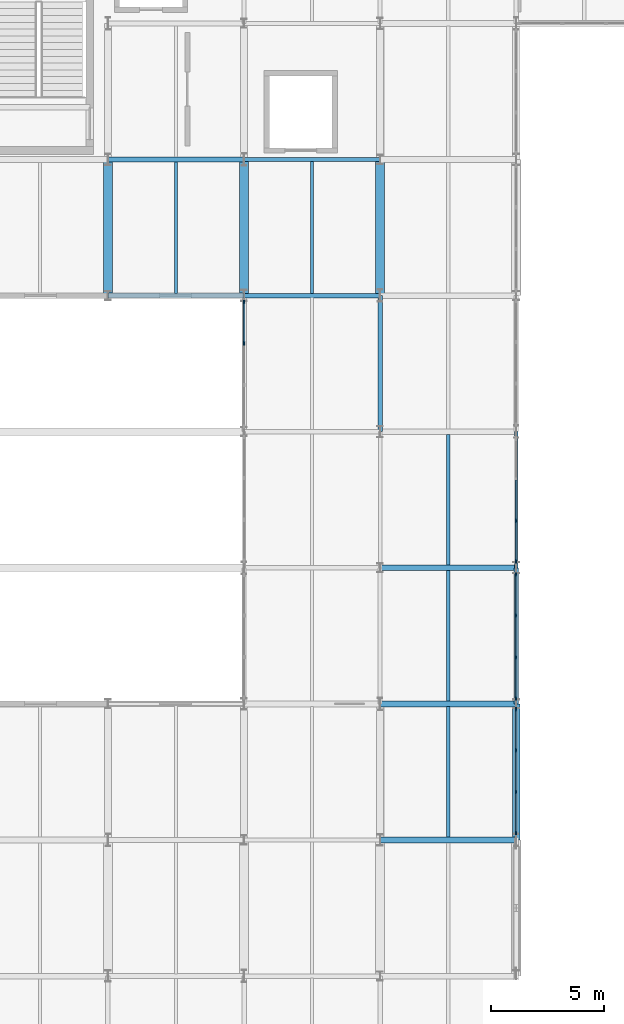
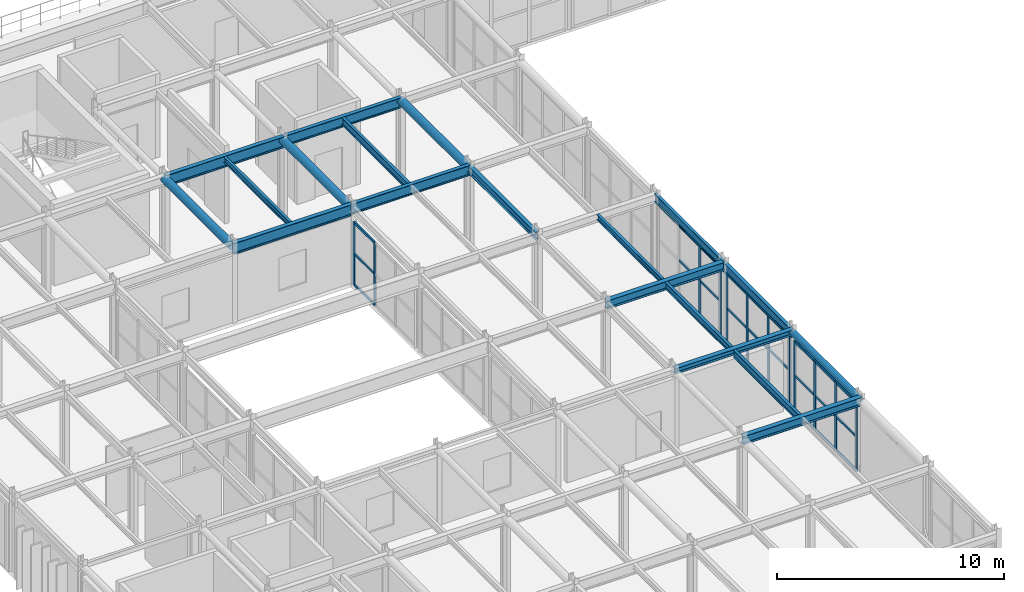
# One storey, part 27 of 84: 39 members, 19 beams, 4 elements without a shape of their own.
"""IFC4 building model written with IfcOpenShell, lengths in metres."""

from ifc_helpers import new_model, si_unit, direction, frame, origin, origin_2d, place, context, subcontext, project, spatial, rectangle, hollow_circle, i_section, extrude, material, material_profile, profile_set, type_object, element, aggregate, save


model = new_model("IFC4")

# Units and contexts
model_context = context("Model", 3, precision=1e-05, world=origin(), true_north=direction((0.0, 1.0)))
body_context = subcontext(model_context, "Body", "Model", "MODEL_VIEW")
ifc_project = project(units=[si_unit("LENGTHUNIT", "METRE"), si_unit("AREAUNIT", "SQUARE_METRE"), si_unit("VOLUMEUNIT", "CUBIC_METRE"), si_unit("PLANEANGLEUNIT", "RADIAN"), si_unit("MASSUNIT", "GRAM", prefix="KILO")], contexts=[model_context])

# Site, building, storey
site_placement = place(None, origin())
site = spatial("IfcSite", under=ifc_project, at=site_placement, CompositionType="ELEMENT")
building_placement = place(site_placement, origin())
building = spatial("IfcBuilding", under=site, at=building_placement, Name="Varnakota Square Police Headquarters", CompositionType="ELEMENT")
storey_placement = place(building_placement, frame((0.0, 0.0, 13.5)))
storey = spatial("IfcBuildingStorey", under=building, at=storey_placement, Name="L03", CompositionType="ELEMENT", Elevation=13.5)

# Beams
ifc_material_1 = material(Name="Steel IS 2062 Grade 350", Category="steel")
ifc_material_profile_1 = material_profile(ifc_material_1, hollow_circle(Radius=0.161865234375, WallThickness=0.0126953125, at=origin_2d()), Name="CHS 323.9x12.7")
ifc_profile_set_1 = profile_set([ifc_material_profile_1], Name="Steel IS 2062 Grade 350")
beam_type_1 = type_object("IfcBeamType", Name="BM-ARC-CHS324", PredefinedType="BEAM", material=ifc_profile_set_1)
beam_1_placement = place(storey_placement, frame((42.0, 33.0, 4.0380859375), z_axis=(0.0, 1.0, 0.0), x_axis=(-1.0, 0.0, 0.0)))
element("IfcBeam", 1, at=beam_1_placement, inside=storey, type_object=beam_type_1, Name="BMG-L03-2655", PredefinedType="BEAM", context=body_context, shape_type="SweptSolid", body=[
    extrude(hollow_circle(Radius=0.161865234375, WallThickness=0.0126953125, at=origin_2d()), origin(), (0.0, 0.0, 1.0), 6.0),
])
ifc_material_profile_2 = material_profile(ifc_material_1, hollow_circle(Radius=0.203125, WallThickness=0.01611328125, at=origin_2d()), Name="CHS 406.4x16.0")
ifc_profile_set_2 = profile_set([ifc_material_profile_2], Name="Steel IS 2062 Grade 350")
beam_type_2 = type_object("IfcBeamType", Name="BM-ARC-CHS406", PredefinedType="BEAM", material=ifc_profile_set_2)
for number, where, z_axis, x_axis, name in (
    (2, (24.0, 57.0, 3.996826171875), (0.0, 1.0, 0.0), (-1.0, 0.0, 0.0), "BMG-L03-2632"),
    (3, (30.0, 57.0, 3.996826171875), (0.0, 1.0, 0.0), (-1.0, 0.0, 0.0), "BMG-L03-2640"),
    (4, (36.0, 57.0, 3.996826171875), (0.0, 1.0, 0.0), (-1.0, 0.0, 0.0), "BMG-L03-2650"),
):
    element("IfcBeam", number, at=place(storey_placement, frame(where, z_axis=z_axis, x_axis=x_axis)), inside=storey, type_object=beam_type_2, Name=name, PredefinedType="BEAM", context=body_context, shape_type="SweptSolid", body=[
        extrude(hollow_circle(Radius=0.203125, WallThickness=0.01611328125, at=origin_2d()), origin(), (0.0, 0.0, 1.0), 6.0),
    ])
ifc_material_profile_3 = material_profile(ifc_material_1, i_section(OverallWidth=0.25, OverallDepth=0.300048828125, WebThickness=0.009521484375, FlangeThickness=0.010498046875, FilletRadius=0.011962890625, at=origin_2d()), Name="ISHB 300")
ifc_profile_set_3 = profile_set([ifc_material_profile_3], Name="Steel IS 2062 Grade 350")
beam_type_3 = type_object("IfcBeamType", Name="BM-ISHB300", PredefinedType="BEAM", material=ifc_profile_set_3)
beam_2_placement = place(storey_placement, frame((36.0, 39.0, 4.050048828125), z_axis=(1.0, 0.0, 0.0), x_axis=(0.0, 1.0, 0.0)))
element("IfcBeam", 5, at=beam_2_placement, inside=storey, type_object=beam_type_3, Name="BMG-L03-2478", PredefinedType="BEAM", context=body_context, shape_type="SweptSolid", body=[
    extrude(i_section(OverallWidth=0.25, OverallDepth=0.300048828125, WebThickness=0.009521484375, FlangeThickness=0.010498046875, FilletRadius=0.011962890625, at=origin_2d()), origin(), (0.0, 0.0, 1.0), 6.0),
])
ifc_material_profile_4 = material_profile(ifc_material_1, i_section(OverallWidth=0.25, OverallDepth=0.449951171875, WebThickness=0.01123046875, FlangeThickness=0.013671875, FilletRadius=0.014892578125, at=origin_2d()), Name="ISHB 450")
ifc_profile_set_4 = profile_set([ifc_material_profile_4], Name="Steel IS 2062 Grade 350")
beam_type_4 = type_object("IfcBeamType", Name="BM-ISHB450", PredefinedType="BEAM", material=ifc_profile_set_4)
for number, where, z_axis, x_axis, name in (
    (6, (36.0, 33.0, 3.97509765625), (1.0, 0.0, 0.0), (0.0, 1.0, 0.0), "BMG-L03-2469"),
    (7, (36.0, 45.0, 3.97509765625), (1.0, 0.0, 0.0), (0.0, 1.0, 0.0), "BMG-L03-2487"),
):
    element("IfcBeam", number, at=place(storey_placement, frame(where, z_axis=z_axis, x_axis=x_axis)), inside=storey, type_object=beam_type_4, Name=name, PredefinedType="BEAM", context=body_context, shape_type="SweptSolid", body=[
        extrude(i_section(OverallWidth=0.25, OverallDepth=0.449951171875, WebThickness=0.01123046875, FlangeThickness=0.013671875, FilletRadius=0.014892578125, at=origin_2d()), origin(), (0.0, 0.0, 1.0), 6.0),
    ])
ifc_material_profile_5 = material_profile(ifc_material_1, i_section(OverallWidth=0.139892578125, OverallDepth=0.300048828125, WebThickness=0.0078125, FlangeThickness=0.01318359375, FilletRadius=0.013916015625, at=origin_2d()), Name="ISMB 300")
ifc_profile_set_5 = profile_set([ifc_material_profile_5], Name="Steel IS 2062 Grade 350")
beam_type_5 = type_object("IfcBeamType", Name="BM-ISMB300", PredefinedType="JOIST", material=ifc_profile_set_5)
beam_3_placement = place(storey_placement, frame((27.0, 57.10302734375, 4.050048828125), z_axis=(0.0, 1.0, 0.0), x_axis=(-1.0, 0.0, 0.0)))
element("IfcBeam", 8, at=beam_3_placement, inside=storey, type_object=beam_type_5, Name="BMG-L03-2780", PredefinedType="JOIST", context=body_context, shape_type="SweptSolid", body=[
    extrude(i_section(OverallWidth=0.139892578125, OverallDepth=0.300048828125, WebThickness=0.0078125, FlangeThickness=0.01318359375, FilletRadius=0.013916015625, at=origin_2d()), origin(), (0.0, 0.0, 1.0), 5.7939453125),
])
beam_4_placement = place(storey_placement, frame((39.0, 45.123046875, 4.050048828125), z_axis=(0.0, 1.0, 0.0), x_axis=(-1.0, 0.0, 0.0)))
element("IfcBeam", 9, at=beam_4_placement, inside=storey, type_object=beam_type_5, Name="BMG-L03-2794", PredefinedType="JOIST", context=body_context, shape_type="SweptSolid", body=[
    extrude(i_section(OverallWidth=0.139892578125, OverallDepth=0.300048828125, WebThickness=0.0078125, FlangeThickness=0.01318359375, FilletRadius=0.013916015625, at=origin_2d()), origin(), (0.0, 0.0, 1.0), 5.75390625),
])
ifc_material_profile_6 = material_profile(ifc_material_1, i_section(OverallWidth=0.139892578125, OverallDepth=0.35009765625, WebThickness=0.008056640625, FlangeThickness=0.01416015625, FilletRadius=0.013916015625, at=origin_2d()), Name="ISMB 350")
ifc_profile_set_6 = profile_set([ifc_material_profile_6], Name="Steel IS 2062 Grade 350")
beam_type_6 = type_object("IfcBeamType", Name="BM-ISMB350", PredefinedType="JOIST", material=ifc_profile_set_6)
beam_5_placement = place(storey_placement, frame((39.0, 39.123046875, 4.02490234375), z_axis=(0.0, 1.0, 0.0), x_axis=(-1.0, 0.0, 0.0)))
element("IfcBeam", 10, at=beam_5_placement, inside=storey, type_object=beam_type_6, Name="BMG-L03-2793", PredefinedType="JOIST", context=body_context, shape_type="SweptSolid", body=[
    extrude(i_section(OverallWidth=0.139892578125, OverallDepth=0.35009765625, WebThickness=0.008056640625, FlangeThickness=0.01416015625, FilletRadius=0.013916015625, at=origin_2d()), origin(), (0.0, 0.0, 1.0), 5.75390625),
])
ifc_material_profile_7 = material_profile(ifc_material_1, i_section(OverallWidth=0.139892578125, OverallDepth=0.39990234375, WebThickness=0.0087890625, FlangeThickness=0.01611328125, FilletRadius=0.013916015625, at=origin_2d()), Name="ISMB 400")
ifc_profile_set_7 = profile_set([ifc_material_profile_7], Name="Steel IS 2062 Grade 350")
beam_type_7 = type_object("IfcBeamType", Name="BM-ISMB400", PredefinedType="JOIST", material=ifc_profile_set_7)
beam_6_placement = place(storey_placement, frame((33.0, 57.093017578125, 4.0), z_axis=(0.0, 1.0, 0.0), x_axis=(-1.0, 0.0, 0.0)))
element("IfcBeam", 11, at=beam_6_placement, inside=storey, type_object=beam_type_7, Name="BMG-L03-2788", PredefinedType="JOIST", context=body_context, shape_type="SweptSolid", body=[
    extrude(i_section(OverallWidth=0.139892578125, OverallDepth=0.39990234375, WebThickness=0.0087890625, FlangeThickness=0.01611328125, FilletRadius=0.013916015625, at=origin_2d()), origin(), (0.0, 0.0, 1.0), 5.81396484375),
])
beam_7_placement = place(storey_placement, frame((39.0, 33.123046875, 4.0), z_axis=(0.0, 1.0, 0.0), x_axis=(-1.0, 0.0, 0.0)))
element("IfcBeam", 12, at=beam_7_placement, inside=storey, type_object=beam_type_7, Name="BMG-L03-2792", PredefinedType="JOIST", context=body_context, shape_type="SweptSolid", body=[
    extrude(i_section(OverallWidth=0.139892578125, OverallDepth=0.39990234375, WebThickness=0.0087890625, FlangeThickness=0.01611328125, FilletRadius=0.013916015625, at=origin_2d()), origin(), (0.0, 0.0, 1.0), 5.75390625),
])
ifc_material_profile_8 = material_profile(ifc_material_1, i_section(OverallWidth=0.14990234375, OverallDepth=0.449951171875, WebThickness=0.009521484375, FlangeThickness=0.017333984375, FilletRadius=0.014892578125, at=origin_2d()), Name="ISMB 450")
ifc_profile_set_8 = profile_set([ifc_material_profile_8], Name="Steel IS 2062 Grade 350")
beam_type_8 = type_object("IfcBeamType", Name="BM-ISMB450", PredefinedType="BEAM", material=ifc_profile_set_8)
beam_8_placement = place(storey_placement, frame((42.0, 45.0, 3.97509765625), z_axis=(0.0, 1.0, 0.0), x_axis=(-1.0, 0.0, 0.0)))
element("IfcBeam", 13, at=beam_8_placement, inside=storey, type_object=beam_type_8, Name="BMG-L03-2657", PredefinedType="BEAM", context=body_context, shape_type="SweptSolid", body=[
    extrude(i_section(OverallWidth=0.14990234375, OverallDepth=0.449951171875, WebThickness=0.009521484375, FlangeThickness=0.017333984375, FilletRadius=0.014892578125, at=origin_2d()), origin(), (0.0, 0.0, 1.0), 6.0),
])
ifc_material_profile_9 = material_profile(ifc_material_1, i_section(OverallWidth=0.179931640625, OverallDepth=0.5, WebThickness=0.01025390625, FlangeThickness=0.01708984375, FilletRadius=0.01708984375, at=origin_2d()), Name="ISMB 500")
ifc_profile_set_9 = profile_set([ifc_material_profile_9], Name="Steel IS 2062 Grade 350")
beam_type_9 = type_object("IfcBeamType", Name="BM-ISMB500", PredefinedType="BEAM", material=ifc_profile_set_9)
beam_9_placement = place(storey_placement, frame((42.0, 39.0, 3.949951171875), z_axis=(0.0, 1.0, 0.0), x_axis=(-1.0, 0.0, 0.0)))
element("IfcBeam", 14, at=beam_9_placement, inside=storey, type_object=beam_type_9, Name="BMG-L03-2656", PredefinedType="BEAM", context=body_context, shape_type="SweptSolid", body=[
    extrude(i_section(OverallWidth=0.179931640625, OverallDepth=0.5, WebThickness=0.01025390625, FlangeThickness=0.01708984375, FilletRadius=0.01708984375, at=origin_2d()), origin(), (0.0, 0.0, 1.0), 6.0),
])
ifc_material_profile_10 = material_profile(ifc_material_1, i_section(OverallWidth=0.18994140625, OverallDepth=0.550048828125, WebThickness=0.01123046875, FlangeThickness=0.019287109375, FilletRadius=0.01806640625, at=origin_2d()), Name="ISMB 550")
ifc_profile_set_10 = profile_set([ifc_material_profile_10], Name="Steel IS 2062 Grade 350")
beam_type_10 = type_object("IfcBeamType", Name="BM-ISMB550", PredefinedType="BEAM", material=ifc_profile_set_10)
for number, where, z_axis, x_axis, name in (
    (15, (30.0, 57.0, 3.925048828125), (1.0, 0.0, 0.0), (0.0, 1.0, 0.0), "BMG-L03-2500"),
    (16, (30.0, 63.0, 3.925048828125), (1.0, 0.0, 0.0), (0.0, 1.0, 0.0), "BMG-L03-2506"),
):
    element("IfcBeam", number, at=place(storey_placement, frame(where, z_axis=z_axis, x_axis=x_axis)), inside=storey, type_object=beam_type_10, Name=name, PredefinedType="BEAM", context=body_context, shape_type="SweptSolid", body=[
        extrude(i_section(OverallWidth=0.18994140625, OverallDepth=0.550048828125, WebThickness=0.01123046875, FlangeThickness=0.019287109375, FilletRadius=0.01806640625, at=origin_2d()), origin(), (0.0, 0.0, 1.0), 6.0),
    ])
ifc_material_profile_11 = material_profile(ifc_material_1, i_section(OverallWidth=0.2099609375, OverallDepth=0.60009765625, WebThickness=0.011962890625, FlangeThickness=0.020751953125, FilletRadius=0.02001953125, at=origin_2d()), Name="ISMB 600")
ifc_profile_set_11 = profile_set([ifc_material_profile_11], Name="Steel IS 2062 Grade 350")
beam_type_11 = type_object("IfcBeamType", Name="BM-ISMB600", PredefinedType="BEAM", material=ifc_profile_set_11)
for number, where, z_axis, x_axis, name in (
    (17, (24.0, 57.0, 3.89990234375), (1.0, 0.0, 0.0), (0.0, 1.0, 0.0), "BMG-L03-2499"),
    (18, (24.0, 63.0, 3.89990234375), (1.0, 0.0, 0.0), (0.0, 1.0, 0.0), "BMG-L03-2505"),
):
    element("IfcBeam", number, at=place(storey_placement, frame(where, z_axis=z_axis, x_axis=x_axis)), inside=storey, type_object=beam_type_11, Name=name, PredefinedType="BEAM", context=body_context, shape_type="SweptSolid", body=[
        extrude(i_section(OverallWidth=0.2099609375, OverallDepth=0.60009765625, WebThickness=0.011962890625, FlangeThickness=0.020751953125, FilletRadius=0.02001953125, at=origin_2d()), origin(), (0.0, 0.0, 1.0), 6.0),
    ])
ifc_material_profile_12 = material_profile(ifc_material_1, i_section(OverallWidth=0.199951171875, OverallDepth=0.39990234375, WebThickness=0.008544921875, FlangeThickness=0.012939453125, FilletRadius=0.012939453125, at=origin_2d()), Name="ISWB 400")
ifc_profile_set_12 = profile_set([ifc_material_profile_12], Name="Steel IS 2062 Grade 350")
beam_type_12 = type_object("IfcBeamType", Name="BM-ISWB400", PredefinedType="BEAM", material=ifc_profile_set_12)
beam_10_placement = place(storey_placement, frame((36.0, 51.0, 4.0), z_axis=(0.0, 1.0, 0.0), x_axis=(-1.0, 0.0, 0.0)))
element("IfcBeam", 19, at=beam_10_placement, inside=storey, type_object=beam_type_12, Name="BMG-L03-2649", PredefinedType="BEAM", context=body_context, shape_type="SweptSolid", body=[
    extrude(i_section(OverallWidth=0.199951171875, OverallDepth=0.39990234375, WebThickness=0.008544921875, FlangeThickness=0.012939453125, FilletRadius=0.012939453125, at=origin_2d()), origin(), (0.0, 0.0, 1.0), 6.0),
])

# Curtain wall, members
ifc_material_2 = material(Name="Anodised Aluminium Framing", Category="aluminium")
curtain_wall_type_1 = type_object("IfcCurtainWallType", Name="CW-SYS-D", PredefinedType="NOTDEFINED", material=ifc_material_2)
curtain_wall_1_placement = place(storey_placement, origin())
curtain_wall_1 = element("IfcCurtainWall", 20, at=curtain_wall_1_placement, inside=storey, type_object=curtain_wall_type_1, Name="Unitised curtain wall CWG-L03-168", PredefinedType="NOTDEFINED")
ifc_material_3 = material(Name="Anodised Aluminium 6063-T6", Category="aluminium")
ifc_material_profile_13 = material_profile(ifc_material_3, rectangle(XDim=0.06494140625, YDim=0.159912109375, at=origin_2d()), Name="ALU MULLION 65x160")
ifc_profile_set_13 = profile_set([ifc_material_profile_13], Name="Anodised Aluminium 6063-T6")
member_type_1 = type_object("IfcMemberType", Name="CWM-150", PredefinedType="MULLION", material=ifc_profile_set_13)
member_1_placement = place(storey_placement, frame((42.0, 33.3125, 0.0), z_axis=(0.0, 0.0, 1.0), x_axis=(-1.0, 0.0, 0.0)))
member_1 = element("IfcMember", 21, at=member_1_placement, type_object=member_type_1, Name="CWG-L03-168 mullion 1", PredefinedType="MULLION", context=body_context, shape_type="SweptSolid", body=[
    extrude(rectangle(XDim=0.06494140625, YDim=0.159912109375, at=origin_2d()), origin(), (0.0, 0.0, 1.0), 3.68994140625),
])
member_2_placement = place(storey_placement, frame((42.0, 35.118408203125, 0.0), z_axis=(0.0, 0.0, 1.0), x_axis=(-1.0, 0.0, 0.0)))
member_2 = element("IfcMember", 22, at=member_2_placement, type_object=member_type_1, Name="CWG-L03-168 mullion 2", PredefinedType="MULLION", context=body_context, shape_type="SweptSolid", body=[
    extrude(rectangle(XDim=0.06494140625, YDim=0.159912109375, at=origin_2d()), origin(), (0.0, 0.0, 1.0), 3.68994140625),
])
member_3_placement = place(storey_placement, frame((42.0, 36.956787109375, 0.0), z_axis=(0.0, 0.0, 1.0), x_axis=(-1.0, 0.0, 0.0)))
member_3 = element("IfcMember", 23, at=member_3_placement, type_object=member_type_1, Name="CWG-L03-168 mullion 3", PredefinedType="MULLION", context=body_context, shape_type="SweptSolid", body=[
    extrude(rectangle(XDim=0.06494140625, YDim=0.159912109375, at=origin_2d()), origin(), (0.0, 0.0, 1.0), 3.68994140625),
])
member_4_placement = place(storey_placement, frame((42.0, 38.762451171875, 0.0), z_axis=(0.0, 0.0, 1.0), x_axis=(-1.0, 0.0, 0.0)))
member_4 = element("IfcMember", 24, at=member_4_placement, type_object=member_type_1, Name="CWG-L03-168 mullion 4", PredefinedType="MULLION", context=body_context, shape_type="SweptSolid", body=[
    extrude(rectangle(XDim=0.06494140625, YDim=0.159912109375, at=origin_2d()), origin(), (0.0, 0.0, 1.0), 3.68994140625),
])

curtain_wall_2_placement = place(storey_placement, origin())
curtain_wall_2 = element("IfcCurtainWall", 25, at=curtain_wall_2_placement, inside=storey, type_object=curtain_wall_type_1, Name="Unitised curtain wall CWG-L03-169", PredefinedType="NOTDEFINED")
member_5_placement = place(storey_placement, frame((42.0, 39.237548828125, 0.0), z_axis=(0.0, 0.0, 1.0), x_axis=(-1.0, 0.0, 0.0)))
member_5 = element("IfcMember", 26, at=member_5_placement, type_object=member_type_1, Name="CWG-L03-169 mullion 1", PredefinedType="MULLION", context=body_context, shape_type="SweptSolid", body=[
    extrude(rectangle(XDim=0.06494140625, YDim=0.159912109375, at=origin_2d()), origin(), (0.0, 0.0, 1.0), 3.68994140625),
])
member_6_placement = place(storey_placement, frame((42.0, 41.0517578125, 0.0), z_axis=(0.0, 0.0, 1.0), x_axis=(-1.0, 0.0, 0.0)))
member_6 = element("IfcMember", 27, at=member_6_placement, type_object=member_type_1, Name="CWG-L03-169 mullion 2", PredefinedType="MULLION", context=body_context, shape_type="SweptSolid", body=[
    extrude(rectangle(XDim=0.06494140625, YDim=0.159912109375, at=origin_2d()), origin(), (0.0, 0.0, 1.0), 3.68994140625),
])
member_7_placement = place(storey_placement, frame((42.0, 42.8984375, 0.0), z_axis=(0.0, 0.0, 1.0), x_axis=(-1.0, 0.0, 0.0)))
member_7 = element("IfcMember", 28, at=member_7_placement, type_object=member_type_1, Name="CWG-L03-169 mullion 3", PredefinedType="MULLION", context=body_context, shape_type="SweptSolid", body=[
    extrude(rectangle(XDim=0.06494140625, YDim=0.159912109375, at=origin_2d()), origin(), (0.0, 0.0, 1.0), 3.68994140625),
])
member_8_placement = place(storey_placement, frame((42.0, 44.71240234375, 0.0), z_axis=(0.0, 0.0, 1.0), x_axis=(-1.0, 0.0, 0.0)))
member_8 = element("IfcMember", 29, at=member_8_placement, type_object=member_type_1, Name="CWG-L03-169 mullion 4", PredefinedType="MULLION", context=body_context, shape_type="SweptSolid", body=[
    extrude(rectangle(XDim=0.06494140625, YDim=0.159912109375, at=origin_2d()), origin(), (0.0, 0.0, 1.0), 3.68994140625),
])

curtain_wall_3_placement = place(storey_placement, origin())
curtain_wall_3 = element("IfcCurtainWall", 30, at=curtain_wall_3_placement, inside=storey, type_object=curtain_wall_type_1, Name="Unitised curtain wall CWG-L03-170", PredefinedType="NOTDEFINED")
member_9_placement = place(storey_placement, frame((42.0, 45.28759765625, 0.0), z_axis=(0.0, 0.0, 1.0), x_axis=(-1.0, 0.0, 0.0)))
member_9 = element("IfcMember", 31, at=member_9_placement, type_object=member_type_1, Name="CWG-L03-170 mullion 1", PredefinedType="MULLION", context=body_context, shape_type="SweptSolid", body=[
    extrude(rectangle(XDim=0.06494140625, YDim=0.159912109375, at=origin_2d()), origin(), (0.0, 0.0, 1.0), 3.739990234375),
])
member_10_placement = place(storey_placement, frame((42.0, 47.07666015625, 0.0), z_axis=(0.0, 0.0, 1.0), x_axis=(-1.0, 0.0, 0.0)))
member_10 = element("IfcMember", 32, at=member_10_placement, type_object=member_type_1, Name="CWG-L03-170 mullion 2", PredefinedType="MULLION", context=body_context, shape_type="SweptSolid", body=[
    extrude(rectangle(XDim=0.06494140625, YDim=0.159912109375, at=origin_2d()), origin(), (0.0, 0.0, 1.0), 3.739990234375),
])

curtain_wall_type_2 = type_object("IfcCurtainWallType", Name="CW-SYS-F", PredefinedType="NOTDEFINED", material=ifc_material_2)
curtain_wall_4_placement = place(storey_placement, origin())
curtain_wall_4 = element("IfcCurtainWall", 33, at=curtain_wall_4_placement, inside=storey, type_object=curtain_wall_type_2, Name="Unitised curtain wall CWG-L03-179", PredefinedType="NOTDEFINED")
member_11_placement = place(storey_placement, frame((30.0, 54.8984375, 0.0), z_axis=(0.0, 0.0, 1.0), x_axis=(-1.0, 0.0, 0.0)))
member_11 = element("IfcMember", 34, at=member_11_placement, type_object=member_type_1, Name="CWG-L03-179 mullion 3", PredefinedType="MULLION", context=body_context, shape_type="SweptSolid", body=[
    extrude(rectangle(XDim=0.06494140625, YDim=0.159912109375, at=origin_2d()), origin(), (0.0, 0.0, 1.0), 3.389892578125),
])
member_12_placement = place(storey_placement, frame((30.0, 56.71240234375, 0.0), z_axis=(0.0, 0.0, 1.0), x_axis=(-1.0, 0.0, 0.0)))
member_12 = element("IfcMember", 35, at=member_12_placement, type_object=member_type_1, Name="CWG-L03-179 mullion 4", PredefinedType="MULLION", context=body_context, shape_type="SweptSolid", body=[
    extrude(rectangle(XDim=0.06494140625, YDim=0.159912109375, at=origin_2d()), origin(), (0.0, 0.0, 1.0), 3.389892578125),
])

# Member
ifc_material_profile_14 = material_profile(ifc_material_3, rectangle(XDim=0.06494140625, YDim=0.1298828125, at=origin_2d()), Name="ALU TRANSOM 65x130")
ifc_profile_set_14 = profile_set([ifc_material_profile_14], Name="Anodised Aluminium 6063-T6")
member_type_2 = type_object("IfcMemberType", Name="CWT-120", PredefinedType="USERDEFINED", material=ifc_profile_set_14)
member_13_placement = place(storey_placement, frame((42.0, 33.344970703125, 0.032470703125), z_axis=(0.0, 1.0, 0.0), x_axis=(-1.0, 0.0, 0.0)))
member_13 = element("IfcMember", 36, at=member_13_placement, type_object=member_type_2, Name="CWG-L03-168 transom 1.1", ObjectType="TRANSOM", PredefinedType="USERDEFINED", context=body_context, shape_type="SweptSolid", body=[
    extrude(rectangle(XDim=0.06494140625, YDim=0.1298828125, at=origin_2d()), origin(), (0.0, 0.0, 1.0), 1.740966796875),
])

member_14_placement = place(storey_placement, frame((42.0, 33.344970703125, 1.844970703125), z_axis=(0.0, 1.0, 0.0), x_axis=(-1.0, 0.0, 0.0)))
member_14 = element("IfcMember", 37, at=member_14_placement, type_object=member_type_2, Name="CWG-L03-168 transom 1.2", ObjectType="TRANSOM", PredefinedType="USERDEFINED", context=body_context, shape_type="SweptSolid", body=[
    extrude(rectangle(XDim=0.06494140625, YDim=0.1298828125, at=origin_2d()), origin(), (0.0, 0.0, 1.0), 1.740966796875),
])

member_15_placement = place(storey_placement, frame((42.0, 33.344970703125, 3.657470703125), z_axis=(0.0, 1.0, 0.0), x_axis=(-1.0, 0.0, 0.0)))
member_15 = element("IfcMember", 38, at=member_15_placement, type_object=member_type_2, Name="CWG-L03-168 transom 1.3", ObjectType="TRANSOM", PredefinedType="USERDEFINED", context=body_context, shape_type="SweptSolid", body=[
    extrude(rectangle(XDim=0.06494140625, YDim=0.1298828125, at=origin_2d()), origin(), (0.0, 0.0, 1.0), 1.740966796875),
])

member_16_placement = place(storey_placement, frame((42.0, 35.15087890625, 0.032470703125), z_axis=(0.0, 1.0, 0.0), x_axis=(-1.0, 0.0, 0.0)))
member_16 = element("IfcMember", 39, at=member_16_placement, type_object=member_type_2, Name="CWG-L03-168 transom 2.1", ObjectType="TRANSOM", PredefinedType="USERDEFINED", context=body_context, shape_type="SweptSolid", body=[
    extrude(rectangle(XDim=0.06494140625, YDim=0.1298828125, at=origin_2d()), origin(), (0.0, 0.0, 1.0), 1.773193359375),
])

member_17_placement = place(storey_placement, frame((42.0, 35.15087890625, 1.844970703125), z_axis=(0.0, 1.0, 0.0), x_axis=(-1.0, 0.0, 0.0)))
member_17 = element("IfcMember", 40, at=member_17_placement, type_object=member_type_2, Name="CWG-L03-168 transom 2.2", ObjectType="TRANSOM", PredefinedType="USERDEFINED", context=body_context, shape_type="SweptSolid", body=[
    extrude(rectangle(XDim=0.06494140625, YDim=0.1298828125, at=origin_2d()), origin(), (0.0, 0.0, 1.0), 1.773193359375),
])

member_18_placement = place(storey_placement, frame((42.0, 35.15087890625, 3.657470703125), z_axis=(0.0, 1.0, 0.0), x_axis=(-1.0, 0.0, 0.0)))
member_18 = element("IfcMember", 41, at=member_18_placement, type_object=member_type_2, Name="CWG-L03-168 transom 2.3", ObjectType="TRANSOM", PredefinedType="USERDEFINED", context=body_context, shape_type="SweptSolid", body=[
    extrude(rectangle(XDim=0.06494140625, YDim=0.1298828125, at=origin_2d()), origin(), (0.0, 0.0, 1.0), 1.773193359375),
])

member_19_placement = place(storey_placement, frame((42.0, 36.9892578125, 0.032470703125), z_axis=(0.0, 1.0, 0.0), x_axis=(-1.0, 0.0, 0.0)))
member_19 = element("IfcMember", 42, at=member_19_placement, type_object=member_type_2, Name="CWG-L03-168 transom 3.1", ObjectType="TRANSOM", PredefinedType="USERDEFINED", context=body_context, shape_type="SweptSolid", body=[
    extrude(rectangle(XDim=0.06494140625, YDim=0.1298828125, at=origin_2d()), origin(), (0.0, 0.0, 1.0), 1.74072265625),
])

member_20_placement = place(storey_placement, frame((42.0, 36.9892578125, 1.844970703125), z_axis=(0.0, 1.0, 0.0), x_axis=(-1.0, 0.0, 0.0)))
member_20 = element("IfcMember", 43, at=member_20_placement, type_object=member_type_2, Name="CWG-L03-168 transom 3.2", ObjectType="TRANSOM", PredefinedType="USERDEFINED", context=body_context, shape_type="SweptSolid", body=[
    extrude(rectangle(XDim=0.06494140625, YDim=0.1298828125, at=origin_2d()), origin(), (0.0, 0.0, 1.0), 1.74072265625),
])

member_21_placement = place(storey_placement, frame((42.0, 36.9892578125, 3.657470703125), z_axis=(0.0, 1.0, 0.0), x_axis=(-1.0, 0.0, 0.0)))
member_21 = element("IfcMember", 44, at=member_21_placement, type_object=member_type_2, Name="CWG-L03-168 transom 3.3", ObjectType="TRANSOM", PredefinedType="USERDEFINED", context=body_context, shape_type="SweptSolid", body=[
    extrude(rectangle(XDim=0.06494140625, YDim=0.1298828125, at=origin_2d()), origin(), (0.0, 0.0, 1.0), 1.74072265625),
])

aggregate(curtain_wall_1, [member_1, member_2, member_3, member_4, member_13, member_14, member_15, member_16, member_17, member_18, member_19, member_20, member_21])

member_22_placement = place(storey_placement, frame((42.0, 39.27001953125, 0.032470703125), z_axis=(0.0, 1.0, 0.0), x_axis=(-1.0, 0.0, 0.0)))
member_22 = element("IfcMember", 45, at=member_22_placement, type_object=member_type_2, Name="CWG-L03-169 transom 1.1", ObjectType="TRANSOM", PredefinedType="USERDEFINED", context=body_context, shape_type="SweptSolid", body=[
    extrude(rectangle(XDim=0.06494140625, YDim=0.1298828125, at=origin_2d()), origin(), (0.0, 0.0, 1.0), 1.749267578125),
])

member_23_placement = place(storey_placement, frame((42.0, 39.27001953125, 1.844970703125), z_axis=(0.0, 1.0, 0.0), x_axis=(-1.0, 0.0, 0.0)))
member_23 = element("IfcMember", 46, at=member_23_placement, type_object=member_type_2, Name="CWG-L03-169 transom 1.2", ObjectType="TRANSOM", PredefinedType="USERDEFINED", context=body_context, shape_type="SweptSolid", body=[
    extrude(rectangle(XDim=0.06494140625, YDim=0.1298828125, at=origin_2d()), origin(), (0.0, 0.0, 1.0), 1.749267578125),
])

member_24_placement = place(storey_placement, frame((42.0, 39.27001953125, 3.657470703125), z_axis=(0.0, 1.0, 0.0), x_axis=(-1.0, 0.0, 0.0)))
member_24 = element("IfcMember", 47, at=member_24_placement, type_object=member_type_2, Name="CWG-L03-169 transom 1.3", ObjectType="TRANSOM", PredefinedType="USERDEFINED", context=body_context, shape_type="SweptSolid", body=[
    extrude(rectangle(XDim=0.06494140625, YDim=0.1298828125, at=origin_2d()), origin(), (0.0, 0.0, 1.0), 1.749267578125),
])

member_25_placement = place(storey_placement, frame((42.0, 41.084228515625, 0.032470703125), z_axis=(0.0, 1.0, 0.0), x_axis=(-1.0, 0.0, 0.0)))
member_25 = element("IfcMember", 48, at=member_25_placement, type_object=member_type_2, Name="CWG-L03-169 transom 2.1", ObjectType="TRANSOM", PredefinedType="USERDEFINED", context=body_context, shape_type="SweptSolid", body=[
    extrude(rectangle(XDim=0.06494140625, YDim=0.1298828125, at=origin_2d()), origin(), (0.0, 0.0, 1.0), 1.781494140625),
])

member_26_placement = place(storey_placement, frame((42.0, 41.084228515625, 1.844970703125), z_axis=(0.0, 1.0, 0.0), x_axis=(-1.0, 0.0, 0.0)))
member_26 = element("IfcMember", 49, at=member_26_placement, type_object=member_type_2, Name="CWG-L03-169 transom 2.2", ObjectType="TRANSOM", PredefinedType="USERDEFINED", context=body_context, shape_type="SweptSolid", body=[
    extrude(rectangle(XDim=0.06494140625, YDim=0.1298828125, at=origin_2d()), origin(), (0.0, 0.0, 1.0), 1.781494140625),
])

member_27_placement = place(storey_placement, frame((42.0, 41.084228515625, 3.657470703125), z_axis=(0.0, 1.0, 0.0), x_axis=(-1.0, 0.0, 0.0)))
member_27 = element("IfcMember", 50, at=member_27_placement, type_object=member_type_2, Name="CWG-L03-169 transom 2.3", ObjectType="TRANSOM", PredefinedType="USERDEFINED", context=body_context, shape_type="SweptSolid", body=[
    extrude(rectangle(XDim=0.06494140625, YDim=0.1298828125, at=origin_2d()), origin(), (0.0, 0.0, 1.0), 1.781494140625),
])

member_28_placement = place(storey_placement, frame((42.0, 42.930908203125, 0.032470703125), z_axis=(0.0, 1.0, 0.0), x_axis=(-1.0, 0.0, 0.0)))
member_28 = element("IfcMember", 51, at=member_28_placement, type_object=member_type_2, Name="CWG-L03-169 transom 3.1", ObjectType="TRANSOM", PredefinedType="USERDEFINED", context=body_context, shape_type="SweptSolid", body=[
    extrude(rectangle(XDim=0.06494140625, YDim=0.1298828125, at=origin_2d()), origin(), (0.0, 0.0, 1.0), 1.7490234375),
])

member_29_placement = place(storey_placement, frame((42.0, 42.930908203125, 1.844970703125), z_axis=(0.0, 1.0, 0.0), x_axis=(-1.0, 0.0, 0.0)))
member_29 = element("IfcMember", 52, at=member_29_placement, type_object=member_type_2, Name="CWG-L03-169 transom 3.2", ObjectType="TRANSOM", PredefinedType="USERDEFINED", context=body_context, shape_type="SweptSolid", body=[
    extrude(rectangle(XDim=0.06494140625, YDim=0.1298828125, at=origin_2d()), origin(), (0.0, 0.0, 1.0), 1.7490234375),
])

member_30_placement = place(storey_placement, frame((42.0, 42.930908203125, 3.657470703125), z_axis=(0.0, 1.0, 0.0), x_axis=(-1.0, 0.0, 0.0)))
member_30 = element("IfcMember", 53, at=member_30_placement, type_object=member_type_2, Name="CWG-L03-169 transom 3.3", ObjectType="TRANSOM", PredefinedType="USERDEFINED", context=body_context, shape_type="SweptSolid", body=[
    extrude(rectangle(XDim=0.06494140625, YDim=0.1298828125, at=origin_2d()), origin(), (0.0, 0.0, 1.0), 1.7490234375),
])

aggregate(curtain_wall_2, [member_5, member_6, member_7, member_8, member_22, member_23, member_24, member_25, member_26, member_27, member_28, member_29, member_30])

member_31_placement = place(storey_placement, frame((42.0, 45.320068359375, 0.032470703125), z_axis=(0.0, 1.0, 0.0), x_axis=(-1.0, 0.0, 0.0)))
member_31 = element("IfcMember", 54, at=member_31_placement, type_object=member_type_2, Name="CWG-L03-170 transom 1.1", ObjectType="TRANSOM", PredefinedType="USERDEFINED", context=body_context, shape_type="SweptSolid", body=[
    extrude(rectangle(XDim=0.06494140625, YDim=0.1298828125, at=origin_2d()), origin(), (0.0, 0.0, 1.0), 1.72412109375),
])

member_32_placement = place(storey_placement, frame((42.0, 45.320068359375, 1.8701171875), z_axis=(0.0, 1.0, 0.0), x_axis=(-1.0, 0.0, 0.0)))
member_32 = element("IfcMember", 55, at=member_32_placement, type_object=member_type_2, Name="CWG-L03-170 transom 1.2", ObjectType="TRANSOM", PredefinedType="USERDEFINED", context=body_context, shape_type="SweptSolid", body=[
    extrude(rectangle(XDim=0.06494140625, YDim=0.1298828125, at=origin_2d()), origin(), (0.0, 0.0, 1.0), 1.72412109375),
])

member_33_placement = place(storey_placement, frame((42.0, 45.320068359375, 3.70751953125), z_axis=(0.0, 1.0, 0.0), x_axis=(-1.0, 0.0, 0.0)))
member_33 = element("IfcMember", 56, at=member_33_placement, type_object=member_type_2, Name="CWG-L03-170 transom 1.3", ObjectType="TRANSOM", PredefinedType="USERDEFINED", context=body_context, shape_type="SweptSolid", body=[
    extrude(rectangle(XDim=0.06494140625, YDim=0.1298828125, at=origin_2d()), origin(), (0.0, 0.0, 1.0), 1.72412109375),
])

member_34_placement = place(storey_placement, frame((42.0, 47.109130859375, 0.032470703125), z_axis=(0.0, 1.0, 0.0), x_axis=(-1.0, 0.0, 0.0)))
member_34 = element("IfcMember", 57, at=member_34_placement, type_object=member_type_2, Name="CWG-L03-170 transom 2.1", ObjectType="TRANSOM", PredefinedType="USERDEFINED", context=body_context, shape_type="SweptSolid", body=[
    extrude(rectangle(XDim=0.06494140625, YDim=0.1298828125, at=origin_2d()), origin(), (0.0, 0.0, 1.0), 1.756591796875),
])

member_35_placement = place(storey_placement, frame((42.0, 47.109130859375, 1.8701171875), z_axis=(0.0, 1.0, 0.0), x_axis=(-1.0, 0.0, 0.0)))
member_35 = element("IfcMember", 58, at=member_35_placement, type_object=member_type_2, Name="CWG-L03-170 transom 2.2", ObjectType="TRANSOM", PredefinedType="USERDEFINED", context=body_context, shape_type="SweptSolid", body=[
    extrude(rectangle(XDim=0.06494140625, YDim=0.1298828125, at=origin_2d()), origin(), (0.0, 0.0, 1.0), 1.756591796875),
])

member_36_placement = place(storey_placement, frame((42.0, 47.109130859375, 3.70751953125), z_axis=(0.0, 1.0, 0.0), x_axis=(-1.0, 0.0, 0.0)))
member_36 = element("IfcMember", 59, at=member_36_placement, type_object=member_type_2, Name="CWG-L03-170 transom 2.3", ObjectType="TRANSOM", PredefinedType="USERDEFINED", context=body_context, shape_type="SweptSolid", body=[
    extrude(rectangle(XDim=0.06494140625, YDim=0.1298828125, at=origin_2d()), origin(), (0.0, 0.0, 1.0), 1.756591796875),
])

aggregate(curtain_wall_3, [member_9, member_10, member_31, member_32, member_33, member_34, member_35, member_36])

member_37_placement = place(storey_placement, frame((30.0, 54.930908203125, 0.032470703125), z_axis=(0.0, 1.0, 0.0), x_axis=(-1.0, 0.0, 0.0)))
member_37 = element("IfcMember", 60, at=member_37_placement, type_object=member_type_2, Name="CWG-L03-179 transom 3.1", ObjectType="TRANSOM", PredefinedType="USERDEFINED", context=body_context, shape_type="SweptSolid", body=[
    extrude(rectangle(XDim=0.06494140625, YDim=0.1298828125, at=origin_2d()), origin(), (0.0, 0.0, 1.0), 1.7490234375),
])

member_38_placement = place(storey_placement, frame((30.0, 54.930908203125, 1.695068359375), z_axis=(0.0, 1.0, 0.0), x_axis=(-1.0, 0.0, 0.0)))
member_38 = element("IfcMember", 61, at=member_38_placement, type_object=member_type_2, Name="CWG-L03-179 transom 3.2", ObjectType="TRANSOM", PredefinedType="USERDEFINED", context=body_context, shape_type="SweptSolid", body=[
    extrude(rectangle(XDim=0.06494140625, YDim=0.1298828125, at=origin_2d()), origin(), (0.0, 0.0, 1.0), 1.7490234375),
])

member_39_placement = place(storey_placement, frame((30.0, 54.930908203125, 3.357421875), z_axis=(0.0, 1.0, 0.0), x_axis=(-1.0, 0.0, 0.0)))
member_39 = element("IfcMember", 62, at=member_39_placement, type_object=member_type_2, Name="CWG-L03-179 transom 3.3", ObjectType="TRANSOM", PredefinedType="USERDEFINED", context=body_context, shape_type="SweptSolid", body=[
    extrude(rectangle(XDim=0.06494140625, YDim=0.1298828125, at=origin_2d()), origin(), (0.0, 0.0, 1.0), 1.7490234375),
])

aggregate(curtain_wall_4, [member_11, member_12, member_37, member_38, member_39])

save(model, "model.ifc")
